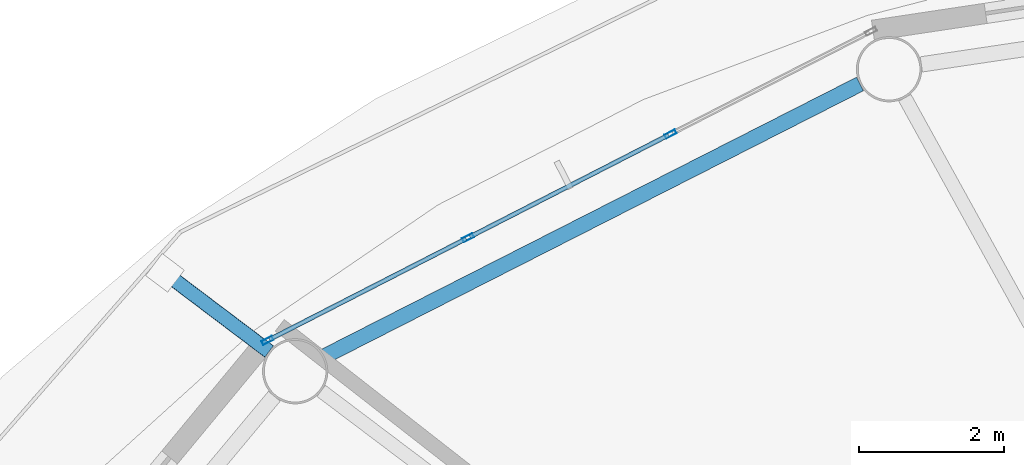
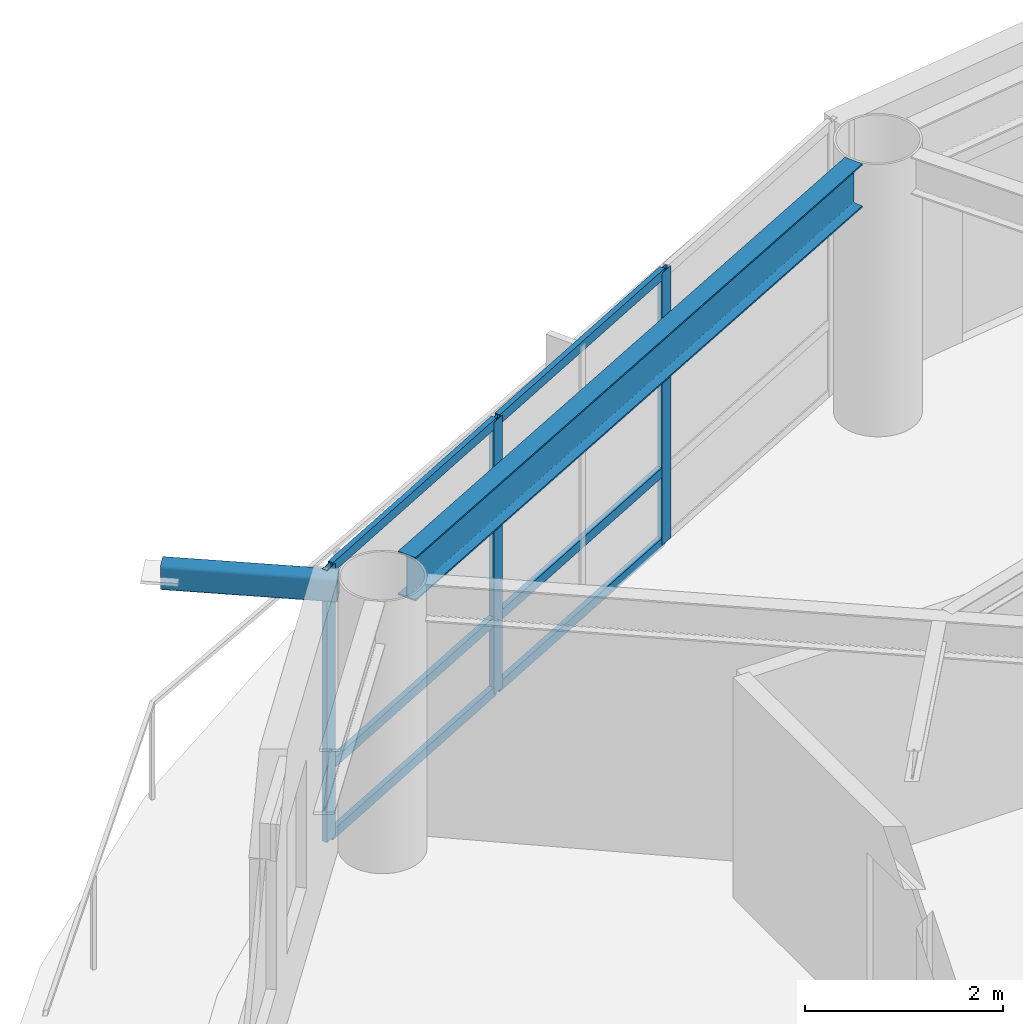
# One storey, part 8 of 23: 10 members, 1 beam, 1 element without a shape of its own.
"""IFC4 building model written with IfcOpenShell, lengths in metres."""

from ifc_helpers import new_model, si_unit, direction, frame, origin, origin_2d, place, context, subcontext, project, spatial, hollow_rectangle, i_section, extrude, material, layer, layer_set, material_profile, profile_set, type_object, element, aggregate, save


model = new_model("IFC4")

# Units and contexts
model_context = context("Model", 3, precision=1e-05, world=origin(), true_north=direction((0.0, 1.0)))
body_context = subcontext(model_context, "Body", "Model", "MODEL_VIEW")
ifc_project = project(units=[si_unit("LENGTHUNIT", "METRE"), si_unit("AREAUNIT", "SQUARE_METRE"), si_unit("VOLUMEUNIT", "CUBIC_METRE"), si_unit("PLANEANGLEUNIT", "RADIAN"), si_unit("MASSUNIT", "GRAM", prefix="KILO")], contexts=[model_context])

# Site, building, storey
site_placement = place(None, origin())
site = spatial("IfcSite", under=ifc_project, at=site_placement, CompositionType="ELEMENT")
building_placement = place(site_placement, origin())
building = spatial("IfcBuilding", under=site, at=building_placement, Name="Sarneth Arch Tower", CompositionType="ELEMENT")
storey_placement = place(building_placement, frame((0.0, 0.0, 220.800048828125)))
storey = spatial("IfcBuildingStorey", under=building, at=storey_placement, Name="L56", CompositionType="ELEMENT", Elevation=220.800048828125)

# Beam
ifc_material_1 = material(Name="Steel S355", Category="steel")
ifc_material_profile_1 = material_profile(ifc_material_1, i_section(OverallWidth=0.2109375, OverallDepth=0.5390625, WebThickness=0.01171875, FlangeThickness=0.018798828125, FilletRadius=0.01806640625, at=origin_2d()), Name="W530x109")
ifc_profile_set_1 = profile_set([ifc_material_profile_1], Name="Steel S355")
beam_type = type_object("IfcBeamType", Name="BM-RAD-530B", PredefinedType="BEAM", material=ifc_profile_set_1)
beam_placement = place(storey_placement, frame((37.80810546875, 59.534423828125, 3.09033203125), z_axis=(-0.891376248079, -0.453264144138, 0.0), x_axis=(0.453264144138, -0.891376248079, 0.0)))
element("IfcBeam", 1, at=beam_placement, inside=storey, type_object=beam_type, Name="L56 Perimeter spandrel beam 06", PredefinedType="BEAM", context=body_context, shape_type="SweptSolid", body=[
    extrude(i_section(OverallWidth=0.2109375, OverallDepth=0.5390625, WebThickness=0.01171875, FlangeThickness=0.018798828125, FilletRadius=0.01806640625, at=origin_2d()), origin(), (0.0, 0.0, 1.0), 8.281982421875),
])

# Curtain wall, members
ifc_material_2 = material(Name="Anodised aluminium Type AA25 and solar-control low-e laminated IGU", Category="aluminium")
ifc_layer = layer(ifc_material_2, 0.179931640625)
ifc_layer_set = layer_set([ifc_layer], Name="Anodised aluminium Type AA25 and solar-control low-e laminated IGU")
curtain_wall_type = type_object("IfcCurtainWallType", Name="CW-RES-HIGH", PredefinedType="NOTDEFINED", material=ifc_layer_set)
curtain_wall_placement = place(storey_placement, origin())
curtain_wall = element("IfcCurtainWall", 2, at=curtain_wall_placement, inside=storey, type_object=curtain_wall_type, Name="L56 Unitised curtain wall facet 06", PredefinedType="NOTDEFINED")
ifc_material_3 = material(Name="Anodised Aluminium 6063-T6", Category="aluminium")
ifc_material_profile_2 = material_profile(ifc_material_3, hollow_rectangle(XDim=0.06005859375, YDim=0.159912109375, WallThickness=0.00390625, at=origin_2d()), Name="AL-MULL-160x60x4")
ifc_profile_set_2 = profile_set([ifc_material_profile_2], Name="Anodised Aluminium 6063-T6")
member_type_1 = type_object("IfcMemberType", Name="CW-MULLION", PredefinedType="MULLION", material=ifc_profile_set_2)
member_1_placement = place(storey_placement, frame((35.197509765625, 58.844970703125, 0.0), z_axis=(0.0, 0.0, 1.0), x_axis=(0.455941901753, -0.890009540525, 0.0)))
member_1 = element("IfcMember", 3, at=member_1_placement, type_object=member_type_1, Name="CW-SYS-6 mullion 2", PredefinedType="MULLION", context=body_context, shape_type="SweptSolid", body=[
    extrude(hollow_rectangle(XDim=0.06005859375, YDim=0.159912109375, WallThickness=0.00390625, at=origin_2d()), origin(), (0.0, 0.0, 1.0), 3.35986328125),
])
member_2_placement = place(storey_placement, frame((32.407470703125, 57.415771484375, 0.0), z_axis=(0.0, 0.0, 1.0), x_axis=(0.455941901753, -0.890009540525, 0.0)))
member_2 = element("IfcMember", 4, at=member_2_placement, type_object=member_type_1, Name="CW-SYS-6 mullion 3", PredefinedType="MULLION", context=body_context, shape_type="SweptSolid", body=[
    extrude(hollow_rectangle(XDim=0.06005859375, YDim=0.159912109375, WallThickness=0.00390625, at=origin_2d()), origin(), (0.0, 0.0, 1.0), 3.35986328125),
])
member_3_placement = place(storey_placement, frame((29.644287109375, 56.000244140625, 0.0), z_axis=(0.0, 0.0, 1.0), x_axis=(0.455941901753, -0.890009540525, 0.0)))
member_3 = element("IfcMember", 5, at=member_3_placement, type_object=member_type_1, Name="CW-SYS-6 mullion 4", PredefinedType="MULLION", context=body_context, shape_type="SweptSolid", body=[
    extrude(hollow_rectangle(XDim=0.06005859375, YDim=0.159912109375, WallThickness=0.00390625, at=origin_2d()), origin(), (0.0, 0.0, 1.0), 3.35986328125),
])
ifc_material_4 = material(Name="Anodised Aluminium 6063-T6", Category="aluminium")
ifc_material_profile_3 = material_profile(ifc_material_4, hollow_rectangle(XDim=0.06005859375, YDim=0.1201171875, WallThickness=0.00390625, at=origin_2d()), Name="AL-TRAN-120x60x4")
ifc_profile_set_3 = profile_set([ifc_material_profile_3], Name="Anodised Aluminium 6063-T6")
member_type_2 = type_object("IfcMemberType", Name="CW-TRANSOM", PredefinedType="USERDEFINED", material=ifc_profile_set_3)
member_4_placement = place(storey_placement, frame((35.170654296875, 58.831298828125, 0.030029296875), z_axis=(-0.890017432405, -0.455926496286, 0.0), x_axis=(0.455926496286, -0.890017432405, 0.0)))
member_4 = element("IfcMember", 6, at=member_4_placement, type_object=member_type_2, Name="CW-SYS-6 transom 2.1", ObjectType="TRANSOM", PredefinedType="USERDEFINED", context=body_context, shape_type="SweptSolid", body=[
    extrude(hollow_rectangle(XDim=0.06005859375, YDim=0.1201171875, WallThickness=0.00390625, at=origin_2d()), origin(), (0.0, 0.0, 1.0), 3.07470703125),
])
member_5_placement = place(storey_placement, frame((35.170654296875, 58.831298828125, 0.89990234375), z_axis=(-0.890017432405, -0.455926496286, 0.0), x_axis=(0.455926496286, -0.890017432405, 0.0)))
member_5 = element("IfcMember", 7, at=member_5_placement, type_object=member_type_2, Name="CW-SYS-6 transom 2.2", ObjectType="TRANSOM", PredefinedType="USERDEFINED", context=body_context, shape_type="SweptSolid", body=[
    extrude(hollow_rectangle(XDim=0.06005859375, YDim=0.1201171875, WallThickness=0.00390625, at=origin_2d()), origin(), (0.0, 0.0, 1.0), 3.07470703125),
])
member_6_placement = place(storey_placement, frame((35.170654296875, 58.831298828125, 3.329833984375), z_axis=(-0.890017432405, -0.455926496286, 0.0), x_axis=(0.455926496286, -0.890017432405, 0.0)))
member_6 = element("IfcMember", 8, at=member_6_placement, type_object=member_type_2, Name="CW-SYS-6 transom 2.3", ObjectType="TRANSOM", PredefinedType="USERDEFINED", context=body_context, shape_type="SweptSolid", body=[
    extrude(hollow_rectangle(XDim=0.06005859375, YDim=0.1201171875, WallThickness=0.00390625, at=origin_2d()), origin(), (0.0, 0.0, 1.0), 3.07470703125),
])
member_7_placement = place(storey_placement, frame((32.380859375, 57.402099609375, 0.030029296875), z_axis=(-0.890022732705, -0.455916149384, 0.0), x_axis=(0.455916149384, -0.890022732705, 0.0)))
member_7 = element("IfcMember", 9, at=member_7_placement, type_object=member_type_2, Name="CW-SYS-6 transom 3.1", ObjectType="TRANSOM", PredefinedType="USERDEFINED", context=body_context, shape_type="SweptSolid", body=[
    extrude(hollow_rectangle(XDim=0.06005859375, YDim=0.1201171875, WallThickness=0.00390625, at=origin_2d()), origin(), (0.0, 0.0, 1.0), 3.044921875),
])
member_8_placement = place(storey_placement, frame((32.380859375, 57.402099609375, 0.89990234375), z_axis=(-0.890022732705, -0.455916149384, 0.0), x_axis=(0.455916149384, -0.890022732705, 0.0)))
member_8 = element("IfcMember", 10, at=member_8_placement, type_object=member_type_2, Name="CW-SYS-6 transom 3.2", ObjectType="TRANSOM", PredefinedType="USERDEFINED", context=body_context, shape_type="SweptSolid", body=[
    extrude(hollow_rectangle(XDim=0.06005859375, YDim=0.1201171875, WallThickness=0.00390625, at=origin_2d()), origin(), (0.0, 0.0, 1.0), 3.044921875),
])
member_9_placement = place(storey_placement, frame((32.380859375, 57.402099609375, 3.329833984375), z_axis=(-0.890022732705, -0.455916149384, 0.0), x_axis=(0.455916149384, -0.890022732705, 0.0)))
member_9 = element("IfcMember", 11, at=member_9_placement, type_object=member_type_2, Name="CW-SYS-6 transom 3.3", ObjectType="TRANSOM", PredefinedType="USERDEFINED", context=body_context, shape_type="SweptSolid", body=[
    extrude(hollow_rectangle(XDim=0.06005859375, YDim=0.1201171875, WallThickness=0.00390625, at=origin_2d()), origin(), (0.0, 0.0, 1.0), 3.044921875),
])
aggregate(curtain_wall, [member_1, member_2, member_3, member_4, member_5, member_6, member_7, member_8, member_9])

# Member
ifc_material_5 = material(Name="Steel S355", Category="steel")
ifc_material_profile_4 = material_profile(ifc_material_5, hollow_rectangle(XDim=0.199951171875, YDim=0.300048828125, WallThickness=0.012451171875, InnerFilletRadius=0.018798828125, OuterFilletRadius=0.03125, at=origin_2d()), Name="RHS300x200x12.5")
ifc_profile_set_4 = profile_set([ifc_material_profile_4], Name="Steel S355")
member_type_3 = type_object("IfcMemberType", Name="MEM-CANT-STRUT", PredefinedType="STRUT", material=ifc_profile_set_4)
member_10_placement = place(storey_placement, frame((29.665771484375, 55.84765625, 3.199951171875), z_axis=(-0.797960130975, 0.602710236659, 0.0), x_axis=(-0.602710236659, -0.797960130975, 0.0)))
element("IfcMember", 12, at=member_10_placement, inside=storey, type_object=member_type_3, Name="L56 Balcony cantilever bracket 07", PredefinedType="STRUT", context=body_context, shape_type="SweptSolid", body=[
    extrude(hollow_rectangle(XDim=0.199951171875, YDim=0.300048828125, WallThickness=0.012451171875, InnerFilletRadius=0.018798828125, OuterFilletRadius=0.03125, at=origin_2d()), origin(), (0.0, 0.0, 1.0), 1.79931640625),
])

save(model, "model.ifc")
